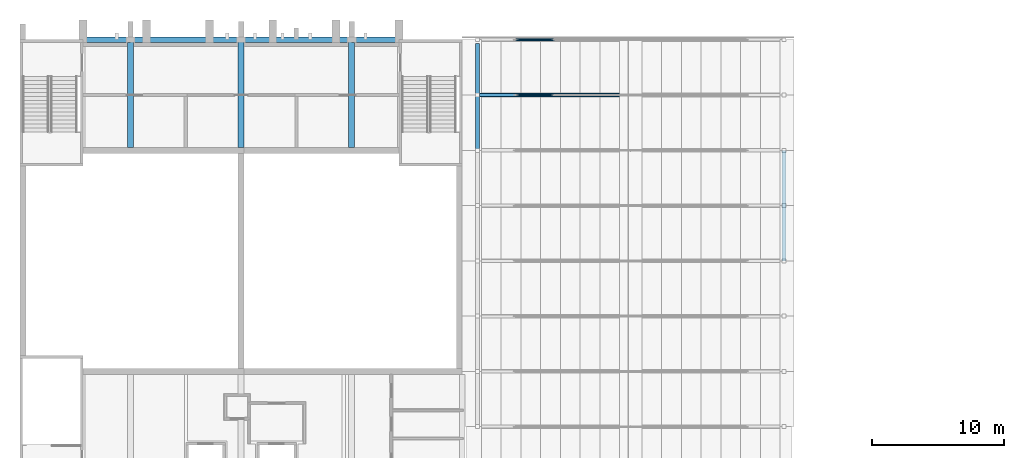
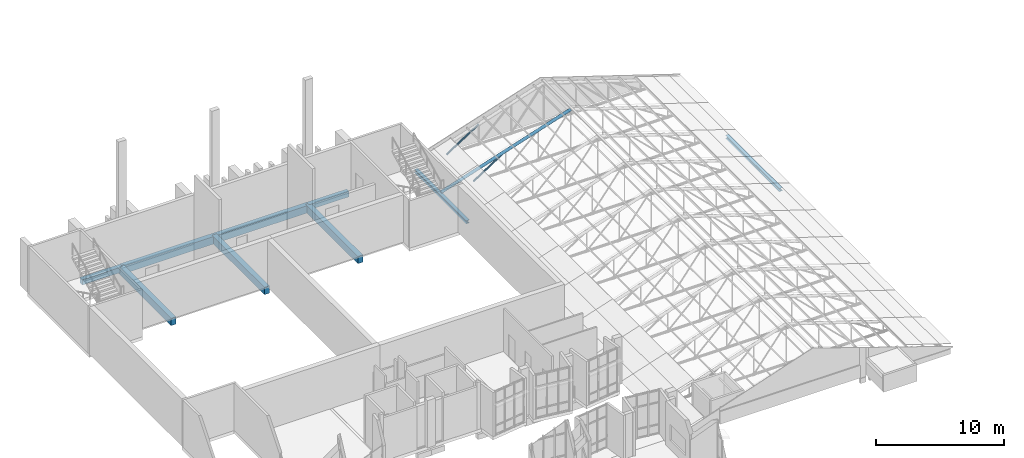
# One storey, part 49 of 95: 9 beams, 3 members.
"""IFC4 building model written with IfcOpenShell, lengths in metres."""

from ifc_helpers import new_model, si_unit, direction, frame, origin, origin_2d, place, context, subcontext, project, spatial, rectangle, hollow_circle, i_section, extrude, material, material_profile, profile_set, type_object, element, save


model = new_model("IFC4")

# Units and contexts
model_context = context("Model", 3, precision=1e-05, world=origin(), true_north=direction((0.0, 1.0)))
body_context = subcontext(model_context, "Body", "Model", "MODEL_VIEW")
ifc_project = project(units=[si_unit("LENGTHUNIT", "METRE"), si_unit("AREAUNIT", "SQUARE_METRE"), si_unit("VOLUMEUNIT", "CUBIC_METRE"), si_unit("PLANEANGLEUNIT", "RADIAN"), si_unit("MASSUNIT", "GRAM", prefix="KILO")], contexts=[model_context])

# Site, building, storey
site_placement = place(None, origin())
site = spatial("IfcSite", under=ifc_project, at=site_placement, CompositionType="ELEMENT")
building_placement = place(site_placement, origin())
building = spatial("IfcBuilding", under=site, at=building_placement, Name="Kiln Court Media Centre", CompositionType="ELEMENT")
storey_placement = place(building_placement, frame((0.0, 0.0, 24.60009765625)))
storey = spatial("IfcBuildingStorey", under=building, at=storey_placement, Name="L05", CompositionType="ELEMENT", Elevation=24.60009765625)

# Beams
ifc_material_1 = material(Name="Concrete C30/37", Category="concrete")
ifc_material_profile_1 = material_profile(ifc_material_1, rectangle(XDim=0.39990234375, YDim=0.5, at=origin_2d()), Name="RC 400x500")
ifc_profile_set_1 = profile_set([ifc_material_profile_1], Name="Concrete C30/37")
beam_type_1 = type_object("IfcBeamType", Name="Concrete C30/37 beam 400x500", PredefinedType="BEAM", material=ifc_profile_set_1)
beam_1_placement = place(storey_placement, frame((4.800048828125, 67.199951171875, -0.550048828125), z_axis=(1.0, 0.0, 0.0), x_axis=(0.0, 1.0, 0.0)))
element("IfcBeam", 1, at=beam_1_placement, inside=storey, type_object=beam_type_1, Name="L05-B-1042", PredefinedType="BEAM", context=body_context, shape_type="SweptSolid", body=[
    extrude(rectangle(XDim=0.39990234375, YDim=0.5, at=origin_2d()), origin(), (0.0, 0.0, 1.0), 3.599853515625),
])
beam_2_placement = place(storey_placement, frame((25.199951171875, 67.199951171875, -0.550048828125), z_axis=(1.0, 0.0, 0.0), x_axis=(0.0, 1.0, 0.0)))
element("IfcBeam", 2, at=beam_2_placement, inside=storey, type_object=beam_type_1, Name="L05-B-1045", PredefinedType="BEAM", context=body_context, shape_type="SweptSolid", body=[
    extrude(rectangle(XDim=0.39990234375, YDim=0.5, at=origin_2d()), origin(), (0.0, 0.0, 1.0), 3.60009765625),
])
ifc_material_2 = material(Name="Concrete C30/37", Category="concrete")
ifc_material_profile_2 = material_profile(ifc_material_2, rectangle(XDim=0.449951171875, YDim=0.699951171875, at=origin_2d()), Name="RC 450x700")
ifc_profile_set_2 = profile_set([ifc_material_profile_2], Name="Concrete C30/37")
beam_type_2 = type_object("IfcBeamType", Name="Concrete C30/37 beam 450x700", PredefinedType="BEAM", material=ifc_profile_set_2)
for number, where, z_axis, x_axis, name in (
    (3, (8.39990234375, 59.02490234375, -0.650146484375), (0.0, 1.0, 0.0), (-1.0, 0.0, 0.0), "L05-B-1030"),
    (4, (16.800048828125, 59.02490234375, -0.650146484375), (0.0, 1.0, 0.0), (-1.0, 0.0, 0.0), "L05-B-1032"),
    (5, (25.199951171875, 59.02490234375, -0.650146484375), (0.0, 1.0, 0.0), (-1.0, 0.0, 0.0), "L05-B-1034"),
):
    element("IfcBeam", number, at=place(storey_placement, frame(where, z_axis=z_axis, x_axis=x_axis)), inside=storey, type_object=beam_type_2, Name=name, PredefinedType="BEAM", context=body_context, shape_type="SweptSolid", body=[
        extrude(rectangle(XDim=0.449951171875, YDim=0.699951171875, at=origin_2d()), origin(), (0.0, 0.0, 1.0), 8.175048828125),
    ])
beam_3_placement = place(storey_placement, frame((8.39990234375, 67.199951171875, -0.650146484375), z_axis=(1.0, 0.0, 0.0), x_axis=(0.0, 1.0, 0.0)))
element("IfcBeam", 6, at=beam_3_placement, inside=storey, type_object=beam_type_2, Name="L05-B-1043", PredefinedType="BEAM", context=body_context, shape_type="SweptSolid", body=[
    extrude(rectangle(XDim=0.449951171875, YDim=0.699951171875, at=origin_2d()), origin(), (0.0, 0.0, 1.0), 8.400146484375),
])
beam_4_placement = place(storey_placement, frame((16.800048828125, 67.199951171875, -0.650146484375), z_axis=(1.0, 0.0, 0.0), x_axis=(0.0, 1.0, 0.0)))
element("IfcBeam", 7, at=beam_4_placement, inside=storey, type_object=beam_type_2, Name="L05-B-1044", PredefinedType="BEAM", context=body_context, shape_type="SweptSolid", body=[
    extrude(rectangle(XDim=0.449951171875, YDim=0.699951171875, at=origin_2d()), origin(), (0.0, 0.0, 1.0), 8.39990234375),
])

# Members
ifc_material_3 = material(Name="Steel ASTM A500 Gr C", Category="steel")
ifc_material_profile_3 = material_profile(ifc_material_3, hollow_circle(Radius=0.084228515625, WallThickness=0.00634765625, at=origin_2d()), Name="CHS 168.3x6.3")
ifc_profile_set_3 = profile_set([ifc_material_profile_3], Name="Steel ASTM A500 Gr C")
member_type_1 = type_object("IfcMemberType", Name="Steel ASTM A500 Gr C CHS 168.3x6.3 truss web", PredefinedType="BRACE", material=ifc_profile_set_3)
for number, where, z_axis, x_axis, name in (
    (8, (37.66259765625, 63.0, -0.013916015625), (0.838470915332, 0.0, 0.544946349784), (0.0, 1.0, 0.0), "foyer truss FT-10 diagonal 2 truss web"),
    (9, (37.66259765625, 67.199951171875, -0.013916015625), (0.838470915332, 0.0, 0.544946349784), (0.0, 1.0, 0.0), "foyer truss FT-11 diagonal 2 truss web"),
):
    element("IfcMember", number, at=place(storey_placement, frame(where, z_axis=z_axis, x_axis=x_axis)), inside=storey, type_object=member_type_1, Name=name, PredefinedType="BRACE", context=body_context, shape_type="SweptSolid", body=[
        extrude(hollow_circle(Radius=0.084228515625, WallThickness=0.00634765625, at=origin_2d()), origin(), (0.0, 0.0, 1.0), 3.473388671875),
    ])
ifc_material_4 = material(Name="Steel ASTM A500 Gr C", Category="steel")
ifc_material_profile_4 = material_profile(ifc_material_4, hollow_circle(Radius=0.136474609375, WallThickness=0.010009765625, at=origin_2d()), Name="CHS 273.0x10.0")
ifc_profile_set_4 = profile_set([ifc_material_profile_4], Name="Steel ASTM A500 Gr C")
member_type_2 = type_object("IfcMemberType", Name="Steel ASTM A500 Gr C CHS 273.0x10.0 truss chord", PredefinedType="CHORD", material=ifc_profile_set_4)
member_placement = place(storey_placement, frame((34.75, 63.0, -0.013916015625), z_axis=(0.951053693326, 0.0, 0.309025682447), x_axis=(0.0, 1.0, 0.0)))
element("IfcMember", 10, at=member_placement, inside=storey, type_object=member_type_2, Name="foyer truss FT-10 west rafter truss chord", PredefinedType="CHORD", context=body_context, shape_type="SweptSolid", body=[
    extrude(hollow_circle(Radius=0.136474609375, WallThickness=0.010009765625, at=origin_2d()), origin(), (0.0, 0.0, 1.0), 12.24951171875),
])

# Beams
ifc_material_5 = material(Name="Steel ASTM A572 Gr 50", Category="steel")
ifc_material_profile_5 = material_profile(ifc_material_5, i_section(OverallWidth=0.300048828125, OverallDepth=0.300048828125, WebThickness=0.010986328125, FlangeThickness=0.01904296875, FilletRadius=0.027099609375, at=origin_2d()), Name="HE 300 B")
ifc_profile_set_5 = profile_set([ifc_material_profile_5], Name="Steel ASTM A572 Gr 50")
beam_type_3 = type_object("IfcBeamType", Name="Steel ASTM A572 Gr 50 HE 300 B foyer eaves girder", PredefinedType="BEAM", material=ifc_profile_set_5)
beam_5_placement = place(storey_placement, frame((34.75, 58.800048828125, -0.300048828125), z_axis=(0.0, 1.0, 0.0), x_axis=(-1.0, 0.0, 0.0)))
element("IfcBeam", 11, at=beam_5_placement, inside=storey, type_object=beam_type_3, Name="foyer eaves girder at x 34.75 foyer eaves girder", PredefinedType="BEAM", context=body_context, shape_type="SweptSolid", body=[
    extrude(i_section(OverallWidth=0.300048828125, OverallDepth=0.300048828125, WebThickness=0.010986328125, FlangeThickness=0.01904296875, FilletRadius=0.027099609375, at=origin_2d()), origin(), (0.0, 0.0, 1.0), 8.099853515625),
])
beam_6_placement = place(storey_placement, frame((58.050048828125, 50.39990234375, -0.300048828125), z_axis=(0.0, 1.0, 0.0), x_axis=(-1.0, 0.0, 0.0)))
element("IfcBeam", 12, at=beam_6_placement, inside=storey, type_object=beam_type_3, Name="foyer eaves girder at x 58.05 foyer eaves girder", PredefinedType="BEAM", context=body_context, shape_type="SweptSolid", body=[
    extrude(i_section(OverallWidth=0.300048828125, OverallDepth=0.300048828125, WebThickness=0.010986328125, FlangeThickness=0.01904296875, FilletRadius=0.027099609375, at=origin_2d()), origin(), (0.0, 0.0, 1.0), 8.400146484375),
])

save(model, "model.ifc")
